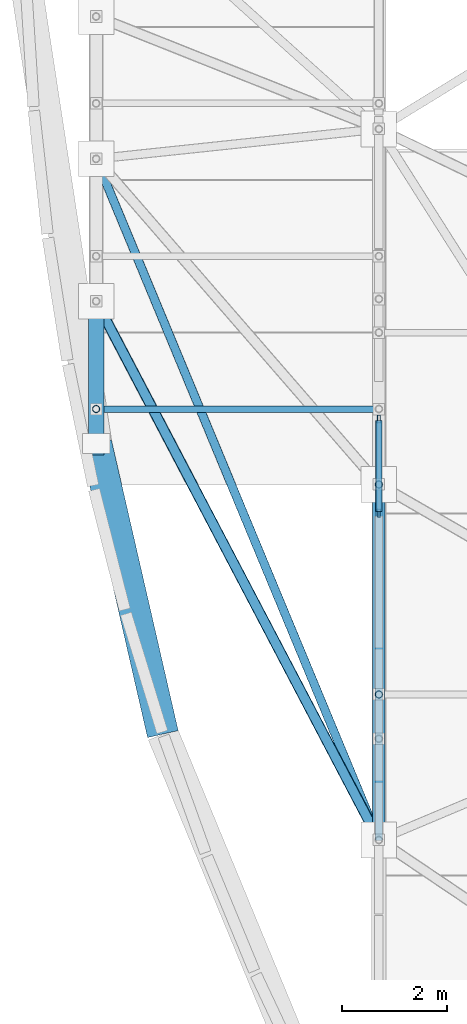
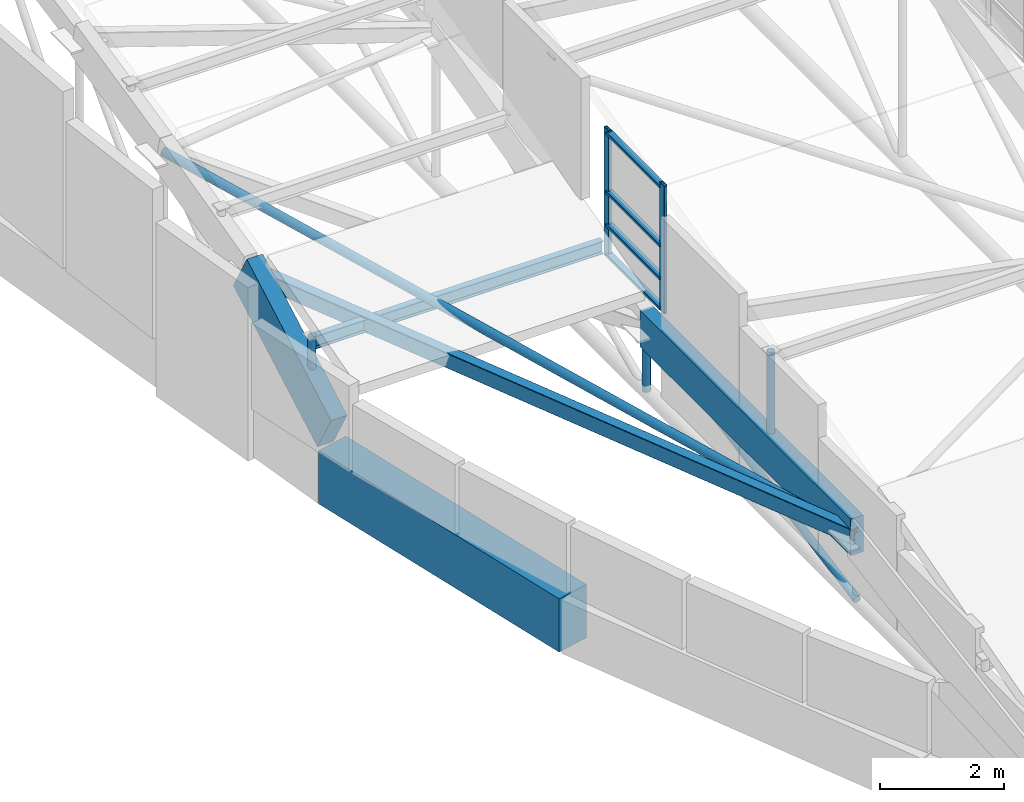
# One storey, part 11 of 188: 15 members, 1 beam, 1 element without a shape of its own.
"""IFC4 building model written with IfcOpenShell, lengths in metres."""

import ifcopenshell
import ifcopenshell.guid

model = None  # the IFC model being written
_history = None  # IfcOwnerHistory: only IFC2X3 demands one
_inside = {}  # id of a spatial element -> (the spatial element, [elements in it])
_under = {}  # id of a project, library or spatial element -> (it, [spatial elements below it])
_declared = {}  # id of a project -> (the project, [libraries it declares])
_typed = {}  # id of a type object -> (the type object, [elements of that type])
_made_of = {}  # id of a material, layer set ... -> (it, [elements and type objects made of it])


def new_model(schema):
    """Start an empty IFC model of exactly this schema.

    Asked for "IFC4X3", IfcOpenShell would pick the latest addendum, in which some entities
    have other attributes; the version numbers below select the first issue.
    IFC2X3 requires an IfcOwnerHistory on every rooted entity: one is made here for all.
    """
    global model, _history
    if schema == "IFC4X3":
        model = ifcopenshell.file(schema_version=(4, 3, 0, 0))
    else:
        model = ifcopenshell.file(schema=schema)
    _inside.clear()
    _under.clear()
    _declared.clear()
    _typed.clear()
    _made_of.clear()
    _history = None
    if model.schema == "IFC2X3":
        org = make("IfcOrganization", Name="unknown")
        user = make(
            "IfcPersonAndOrganization",
            ThePerson=make("IfcPerson", FamilyName="unknown"),
            TheOrganization=org,
        )
        app = make(
            "IfcApplication",
            ApplicationDeveloper=org,
            Version="unknown",
            ApplicationFullName="unknown",
            ApplicationIdentifier="unknown",
        )
        _history = make(
            "IfcOwnerHistory",
            OwningUser=user,
            OwningApplication=app,
            ChangeAction="ADDED",
            CreationDate=0,
        )
    return model


def make(cls, **values):
    """One entity of the class cls with the attributes given. An attribute that is None is left unset."""
    return model.create_entity(
        cls, **{name: value for name, value in values.items() if value is not None}
    )


def rooted(cls, **values):
    """An entity with a GlobalId (a new one), such as an element, a storey or a relation."""
    return make(cls, GlobalId=ifcopenshell.guid.new(), OwnerHistory=_history, **values)


def si_unit(unit_type, name, prefix=None):
    """IfcSIUnit, for example si_unit("LENGTHUNIT", "METRE", prefix="MILLI")."""
    return make("IfcSIUnit", UnitType=unit_type, Prefix=prefix, Name=name)


def assignment(units):
    """IfcUnitAssignment: the units of a project."""
    return None if units is None else make("IfcUnitAssignment", Units=units)


def point(xyz):
    """IfcCartesianPoint."""
    return None if xyz is None else make("IfcCartesianPoint", Coordinates=xyz)


def direction(xyz):
    """IfcDirection."""
    return None if xyz is None else make("IfcDirection", DirectionRatios=xyz)


def frame(location, z_axis=None, x_axis=None):
    """IfcAxis2Placement3D, a coordinate frame: its origin and axes. An axis left out is left unset."""
    return make(
        "IfcAxis2Placement3D",
        Location=point(location),
        Axis=direction(z_axis),
        RefDirection=direction(x_axis),
    )


def frame_2d(location, x_axis=None):
    """IfcAxis2Placement2D, a coordinate frame in the plane: its origin and x axis."""
    return make(
        "IfcAxis2Placement2D", Location=point(location), RefDirection=direction(x_axis)
    )


def origin():
    """The frame at (0, 0, 0) with its axes left unset."""
    return frame((0.0, 0.0, 0.0))


def origin_2d():
    """The frame at (0, 0) in the plane with its x axis left unset."""
    return frame_2d((0.0, 0.0))


def place(relative_to, where):
    """IfcLocalPlacement: puts the frame where relative to a parent placement (None: the world)."""
    return make(
        "IfcLocalPlacement", PlacementRelTo=relative_to, RelativePlacement=where
    )


def context(
    kind, dimensions, precision=None, world=None, true_north=None, identifier=None
):
    """IfcGeometricRepresentationContext, for example the 3D "Model" context."""
    return make(
        "IfcGeometricRepresentationContext",
        ContextIdentifier=identifier,
        ContextType=kind,
        CoordinateSpaceDimension=dimensions,
        Precision=precision,
        WorldCoordinateSystem=world,
        TrueNorth=true_north,
    )


def subcontext(parent, identifier, kind, view, scale=None):
    """IfcGeometricRepresentationSubContext, for example "Body" below "Model"."""
    return make(
        "IfcGeometricRepresentationSubContext",
        ContextIdentifier=identifier,
        ContextType=kind,
        ParentContext=parent,
        TargetScale=scale,
        TargetView=view,
    )


def project(units=None, contexts=None):
    """IfcProject with its units and contexts."""
    return rooted(
        "IfcProject",
        Name="project",
        RepresentationContexts=contexts,
        UnitsInContext=assignment(units),
    )


def spatial(cls, under=None, at=None, **own):
    """A site, building, storey or space (cls), placed at a placement, below another one or the project."""
    s = rooted(cls, ObjectPlacement=at, **own)
    if under is not None:
        _under.setdefault(under.id(), (under, []))[1].append(s)
    return s


def profile(cls, at=None, kind="AREA", **sizes):
    """A parametric profile (cls). Its sizes go by their IFC names, for example OverallWidth=200.0."""
    return make(cls, ProfileType=kind, Position=at, **sizes)


def rectangle(**sizes):
    """IfcRectangleProfileDef."""
    return profile("IfcRectangleProfileDef", **sizes)


def hollow_rectangle(**sizes):
    """IfcRectangleHollowProfileDef."""
    return profile("IfcRectangleHollowProfileDef", **sizes)


def hollow_circle(**sizes):
    """IfcCircleHollowProfileDef."""
    return profile("IfcCircleHollowProfileDef", **sizes)


def i_section(**sizes):
    """IfcIShapeProfileDef."""
    return profile("IfcIShapeProfileDef", **sizes)


def extrude(swept, where, along, depth):
    """IfcExtrudedAreaSolid: the profile swept, set in the frame where, extruded along a direction by depth."""
    return make(
        "IfcExtrudedAreaSolid",
        SweptArea=swept,
        Position=where,
        ExtrudedDirection=direction(along),
        Depth=depth,
    )


def shape(context_of_items, identifier, shape_type, items):
    """IfcShapeRepresentation: the items that make up one representation, for example the "Body"."""
    return make(
        "IfcShapeRepresentation",
        ContextOfItems=context_of_items,
        RepresentationIdentifier=identifier,
        RepresentationType=shape_type,
        Items=items,
    )


def material(Name=None, Category=None):
    """IfcMaterial."""
    return make("IfcMaterial", Name=Name, Category=Category)


def layer(
    of_material, thickness, ventilated=None, Name=None, Category=None, Priority=None
):
    """IfcMaterialLayer: one layer of a wall or slab, of a material (None: an air gap)."""
    return make(
        "IfcMaterialLayer",
        Material=of_material,
        LayerThickness=thickness,
        IsVentilated=ventilated,
        Name=Name,
        Category=Category,
        Priority=Priority,
    )


def layer_set(layers, Name=None):
    """IfcMaterialLayerSet."""
    return make("IfcMaterialLayerSet", MaterialLayers=layers, LayerSetName=Name)


def material_profile(
    of_material, cross_section, Name=None, Category=None, Priority=None
):
    """IfcMaterialProfile: a cross section and its material."""
    return make(
        "IfcMaterialProfile",
        Name=Name,
        Material=of_material,
        Profile=cross_section,
        Priority=Priority,
        Category=Category,
    )


def profile_set(profiles, Name=None, composite=None):
    """IfcMaterialProfileSet."""
    return make(
        "IfcMaterialProfileSet",
        Name=Name,
        MaterialProfiles=profiles,
        CompositeProfile=composite,
    )


def made_of(thing, what):
    """Note that an element or type object is made of a material, layer set ...; save() writes the relation."""
    if what is not None:
        _made_of.setdefault(what.id(), (what, []))[1].append(thing)
    return thing


def type_object(cls, material=None, **own):
    """A type object (cls), such as IfcWallType, which elements share."""
    return made_of(rooted(cls, **own), material)


def element(
    cls,
    number,
    at=None,
    inside=None,
    cuts=None,
    type_object=None,
    material=None,
    context=None,
    identifier="Body",
    shape_type=None,
    held_by="IfcProductDefinitionShape",
    body=None,
    shapes=None,
    **own,
):
    """One element of the class cls, such as IfcWall. Its Tag is "e" and its number.

    at: its placement. inside: the storey or other place that contains it. cuts: it is an
    opening in that element (IfcRelVoidsElement). A single representation is given by context,
    identifier, shape_type and body (its items); several are given by shapes. held_by: the class
    of the entity that holds the representations. save() writes the other relations.
    """
    e = rooted(cls, Tag="e%d" % number, ObjectPlacement=at, **own)
    if body is not None:
        shapes = [shape(context, identifier, shape_type, body)]
    if shapes is not None:
        e.Representation = make(held_by, Representations=shapes)
    if inside is not None:
        _inside.setdefault(inside.id(), (inside, []))[1].append(e)
    if cuts is not None:
        rooted(
            "IfcRelVoidsElement", RelatingBuildingElement=cuts, RelatedOpeningElement=e
        )
    if type_object is not None:
        _typed.setdefault(type_object.id(), (type_object, []))[1].append(e)
    return made_of(e, material)


def aggregate(whole, parts):
    """IfcRelAggregates: a whole, such as a stair, and the parts it consists of."""
    return rooted("IfcRelAggregates", RelatingObject=whole, RelatedObjects=parts)


def save(model, path):
    """Write the relations noted so far, then the file.

    IfcRelAggregates (storeys below a building ...), IfcRelContainedInSpatialStructure (elements
    in a storey), IfcRelDefinesByType, IfcRelAssociatesMaterial and IfcRelDeclares: one each for
    every whole, place, type object, material and project.
    """
    for whole, parts in _under.values():
        aggregate(whole, parts)
    for where, things in _inside.values():
        rooted(
            "IfcRelContainedInSpatialStructure",
            RelatedElements=things,
            RelatingStructure=where,
        )
    for kind, things in _typed.values():
        rooted("IfcRelDefinesByType", RelatedObjects=things, RelatingType=kind)
    for what, things in _made_of.values():
        rooted("IfcRelAssociatesMaterial", RelatedObjects=things, RelatingMaterial=what)
    for by, libraries in _declared.values():
        rooted("IfcRelDeclares", RelatingContext=by, RelatedDefinitions=libraries)
    model.write(path)


model = new_model("IFC4")

# Units and contexts
model_context = context("Model", 3, precision=1e-05, world=origin(), true_north=direction((0.0, 1.0)))
body_context = subcontext(model_context, "Body", "Model", "MODEL_VIEW")
ifc_project = project(units=[si_unit("LENGTHUNIT", "METRE"), si_unit("AREAUNIT", "SQUARE_METRE"), si_unit("VOLUMEUNIT", "CUBIC_METRE"), si_unit("PLANEANGLEUNIT", "RADIAN"), si_unit("MASSUNIT", "GRAM", prefix="KILO")], contexts=[model_context])

# Site, building, storey
site_placement = place(None, origin())
site = spatial("IfcSite", under=ifc_project, at=site_placement, CompositionType="ELEMENT")
building_placement = place(site_placement, origin())
building = spatial("IfcBuilding", under=site, at=building_placement, Name="Kisaragi Civic Commons", CompositionType="ELEMENT")
storey_placement = place(building_placement, frame((0.0, 0.0, 9.60009765625)))
storey = spatial("IfcBuildingStorey", under=building, at=storey_placement, Name="L02", CompositionType="ELEMENT", Elevation=9.60009765625)

# Member
ifc_material_1 = material(Name="Steel SN400 (SN400B)", Category="steel")
ifc_material_profile_1 = material_profile(ifc_material_1, hollow_circle(Radius=0.08251953125, WallThickness=0.006103515625, at=origin_2d()), Name="CHS-165.2x6.0", Category="steel")
ifc_profile_set_1 = profile_set([ifc_material_profile_1], Name="Steel SN400 (SN400B)")
member_type_1 = type_object("IfcMemberType", Name="BR-02", PredefinedType="BRACE", material=ifc_profile_set_1)
member_1_placement = place(storey_placement, frame((1.39990234375, 27.876953125, 2.126953125), z_axis=(0.381029164719, -0.917991056913, -0.110041787794), x_axis=(0.92360011591, 0.383357308384, 0.0)))
element("IfcMember", 1, at=member_1_placement, inside=storey, type_object=member_type_1, Name="V1 diagonal gridshell steel brace 1", PredefinedType="BRACE", context=body_context, shape_type="SweptSolid", body=[
    extrude(hollow_circle(Radius=0.08251953125, WallThickness=0.006103515625, at=origin_2d()), origin(), (0.0, 0.0, 1.0), 14.172607421875),
])

# Curtain wall, members
ifc_material_2 = material(Name="Thermally broken anodized aluminium and low-E double glazing", Category="aluminium")
ifc_layer = layer(ifc_material_2, 0.14990234375, Name="Thermally broken anodized aluminium and low-E double glazing", Category="aluminium")
ifc_layer_set = layer_set([ifc_layer], Name="Thermally broken anodized aluminium and low-E double glazing")
curtain_wall_type = type_object("IfcCurtainWallType", Name="CW-03", PredefinedType="NOTDEFINED", material=ifc_layer_set)
curtain_wall_placement = place(storey_placement, origin())
curtain_wall = element("IfcCurtainWall", 2, at=curtain_wall_placement, inside=storey, type_object=curtain_wall_type, Name="L02 curtain wall CW-03 CW-CL-V1-133", PredefinedType="NOTDEFINED")
ifc_material_profile_2 = material_profile(ifc_material_2, hollow_rectangle(XDim=0.06005859375, YDim=0.14990234375, WallThickness=0.00390625, InnerFilletRadius=0.00390625, OuterFilletRadius=0.008056640625, at=origin_2d()), Name="CWM-60x150x4", Category="aluminium")
ifc_profile_set_2 = profile_set([ifc_material_profile_2], Name="Thermally broken anodized aluminium and low-E double glazing")
member_type_2 = type_object("IfcMemberType", Name="CWM-01", PredefinedType="MULLION", material=ifc_profile_set_2)
member_2_placement = place(storey_placement, frame((6.800048828125, 21.110107421875, 1.189453125), z_axis=(0.0, 0.0, 1.0), x_axis=(-1.0, 0.0, 0.0)))
member_2 = element("IfcMember", 3, at=member_2_placement, type_object=member_type_2, Name="CW-03 mullion 1", PredefinedType="MULLION", context=body_context, shape_type="SweptSolid", body=[
    extrude(hollow_rectangle(XDim=0.06005859375, YDim=0.14990234375, WallThickness=0.00390625, InnerFilletRadius=0.00390625, OuterFilletRadius=0.008056640625, at=origin_2d()), origin(), (0.0, 0.0, 1.0), 2.522216796875),
])
member_3_placement = place(storey_placement, frame((6.800048828125, 22.908203125, 1.189453125), z_axis=(0.0, 0.0, 1.0), x_axis=(-1.0, 0.0, 0.0)))
member_3 = element("IfcMember", 4, at=member_3_placement, type_object=member_type_2, Name="CW-03 mullion 2", PredefinedType="MULLION", context=body_context, shape_type="SweptSolid", body=[
    extrude(hollow_rectangle(XDim=0.06005859375, YDim=0.14990234375, WallThickness=0.00390625, InnerFilletRadius=0.00390625, OuterFilletRadius=0.008056640625, at=origin_2d()), origin(), (0.0, 0.0, 1.0), 2.522216796875),
])
ifc_material_profile_3 = material_profile(ifc_material_2, hollow_rectangle(XDim=0.1201171875, YDim=0.06005859375, WallThickness=0.00390625, InnerFilletRadius=0.00390625, OuterFilletRadius=0.008056640625, at=origin_2d()), Name="CWT-60x120x4", Category="aluminium")
ifc_profile_set_3 = profile_set([ifc_material_profile_3], Name="Thermally broken anodized aluminium and low-E double glazing")
member_type_3 = type_object("IfcMemberType", Name="CWT-01", PredefinedType="USERDEFINED", material=ifc_profile_set_3)
member_4_placement = place(storey_placement, frame((6.800048828125, 21.14013671875, 1.24951171875), z_axis=(0.0, 1.0, 0.0), x_axis=(-1.0, 0.0, 0.0)))
member_4 = element("IfcMember", 5, at=member_4_placement, type_object=member_type_3, Name="CW-03 transom 1.1", ObjectType="TRANSOM", PredefinedType="USERDEFINED", context=body_context, shape_type="SweptSolid", body=[
    extrude(hollow_rectangle(XDim=0.1201171875, YDim=0.06005859375, WallThickness=0.00390625, InnerFilletRadius=0.00390625, OuterFilletRadius=0.008056640625, at=origin_2d()), origin(), (0.0, 0.0, 1.0), 1.738037109375),
])
member_5_placement = place(storey_placement, frame((6.800048828125, 21.14013671875, 1.839599609375), z_axis=(0.0, 1.0, 0.0), x_axis=(-1.0, 0.0, 0.0)))
member_5 = element("IfcMember", 6, at=member_5_placement, type_object=member_type_3, Name="CW-03 transom 1.2", ObjectType="TRANSOM", PredefinedType="USERDEFINED", context=body_context, shape_type="SweptSolid", body=[
    extrude(hollow_rectangle(XDim=0.1201171875, YDim=0.06005859375, WallThickness=0.00390625, InnerFilletRadius=0.00390625, OuterFilletRadius=0.008056640625, at=origin_2d()), origin(), (0.0, 0.0, 1.0), 1.738037109375),
])
member_6_placement = place(storey_placement, frame((6.800048828125, 21.14013671875, 2.489501953125), z_axis=(0.0, 1.0, 0.0), x_axis=(-1.0, 0.0, 0.0)))
member_6 = element("IfcMember", 7, at=member_6_placement, type_object=member_type_3, Name="CW-03 transom 1.3", ObjectType="TRANSOM", PredefinedType="USERDEFINED", context=body_context, shape_type="SweptSolid", body=[
    extrude(hollow_rectangle(XDim=0.1201171875, YDim=0.06005859375, WallThickness=0.00390625, InnerFilletRadius=0.00390625, OuterFilletRadius=0.008056640625, at=origin_2d()), origin(), (0.0, 0.0, 1.0), 1.738037109375),
])
member_7_placement = place(storey_placement, frame((6.800048828125, 21.14013671875, 3.651611328125), z_axis=(0.0, 1.0, 0.0), x_axis=(-1.0, 0.0, 0.0)))
member_7 = element("IfcMember", 8, at=member_7_placement, type_object=member_type_3, Name="CW-03 transom 1.4", ObjectType="TRANSOM", PredefinedType="USERDEFINED", context=body_context, shape_type="SweptSolid", body=[
    extrude(hollow_rectangle(XDim=0.1201171875, YDim=0.06005859375, WallThickness=0.00390625, InnerFilletRadius=0.00390625, OuterFilletRadius=0.008056640625, at=origin_2d()), origin(), (0.0, 0.0, 1.0), 1.738037109375),
])
aggregate(curtain_wall, [member_2, member_3, member_4, member_5, member_6, member_7])

# Beam
ifc_material_3 = material(Name="Concrete Fc36", Category="concrete")
ifc_material_profile_4 = material_profile(ifc_material_3, rectangle(XDim=0.60009765625, YDim=1.050048828125, at=origin_2d()), Name="RC-600x1050", Category="concrete")
ifc_profile_set_4 = profile_set([ifc_material_profile_4], Name="Concrete Fc36")
beam_type = type_object("IfcBeamType", Name="G-06", PredefinedType="BEAM", material=ifc_profile_set_4)
beam_placement = place(storey_placement, frame((1.39990234375, 22.4384765625, -0.84521484375), z_axis=(0.223816605876, -0.974631277425, 0.0), x_axis=(0.974631277425, 0.223816605876, 0.0)))
element("IfcBeam", 9, at=beam_placement, inside=storey, type_object=beam_type, Name="L02 curved spandrel/ring girder G-06 260", PredefinedType="BEAM", context=body_context, shape_type="SweptSolid", body=[
    extrude(rectangle(XDim=0.60009765625, YDim=1.050048828125, at=origin_2d()), origin(), (0.0, 0.0, 1.0), 5.694091796875),
])

# Members
ifc_material_4 = material(Name="Steel SN490 (SN490B)", Category="steel")
ifc_material_profile_5 = material_profile(ifc_material_4, hollow_rectangle(XDim=0.199951171875, YDim=0.300048828125, WallThickness=0.009033203125, InnerFilletRadius=0.009033203125, OuterFilletRadius=0.01806640625, at=origin_2d()), Name="STKR-300x200x9", Category="steel")
ifc_profile_set_5 = profile_set([ifc_material_profile_5], Name="Steel SN490 (SN490B)")
member_type_4 = type_object("IfcMemberType", Name="GC-02", PredefinedType="CHORD", material=ifc_profile_set_5)
member_8_placement = place(storey_placement, frame((1.39990234375, 25.15771484375, 1.45166015625), z_axis=(0.463316820431, -0.882939129925, -0.075868417361), x_axis=(0.88549125901, 0.464656034306, 0.0)))
element("IfcMember", 10, at=member_8_placement, inside=storey, type_object=member_type_4, Name="V1 wave gridshell chord GC-02 1", PredefinedType="CHORD", context=body_context, shape_type="SweptSolid", body=[
    extrude(hollow_rectangle(XDim=0.199951171875, YDim=0.300048828125, WallThickness=0.009033203125, InnerFilletRadius=0.009033203125, OuterFilletRadius=0.01806640625, at=origin_2d()), origin(), (0.0, 0.0, 1.0), 11.655517578125),
])
ifc_material_5 = material(Name="Glulam E120-F330", Category="wood")
ifc_material_profile_6 = material_profile(ifc_material_5, rectangle(XDim=0.239990234375, YDim=0.719970703125, at=origin_2d()), Name="GL-240x720", Category="wood")
ifc_profile_set_6 = profile_set([ifc_material_profile_6], Name="Glulam E120-F330")
member_type_5 = type_object("IfcMemberType", Name="GR-02", PredefinedType="RAFTER", material=ifc_profile_set_6)
member_9_placement = place(storey_placement, frame((6.800048828125, 14.86669921875, 0.5673828125), z_axis=(0.0, 1.0, 0.0), x_axis=(-1.0, 0.0, 0.0)))
element("IfcMember", 11, at=member_9_placement, inside=storey, type_object=member_type_5, Name="V1 glulam arch rib GR-02 10", PredefinedType="RAFTER", context=body_context, shape_type="SweptSolid", body=[
    extrude(rectangle(XDim=0.239990234375, YDim=0.719970703125, at=origin_2d()), origin(), (0.0, 0.0, 1.0), 6.79052734375),
])
ifc_material_profile_7 = material_profile(ifc_material_5, rectangle(XDim=0.300048828125, YDim=0.89990234375, at=origin_2d()), Name="GL-300x900", Category="wood")
ifc_profile_set_7 = profile_set([ifc_material_profile_7], Name="Glulam E120-F330")
member_type_6 = type_object("IfcMemberType", Name="GR-07", PredefinedType="RAFTER", material=ifc_profile_set_7)
member_10_placement = place(storey_placement, frame((1.39990234375, 22.4384765625, -0.080078125), z_axis=(0.0, 0.871278723129, 0.490788535546), x_axis=(-1.0, 0.0, 0.0)))
element("IfcMember", 12, at=member_10_placement, inside=storey, type_object=member_type_6, Name="V1 glulam arch rib GR-07 1", PredefinedType="RAFTER", context=body_context, shape_type="SweptSolid", body=[
    extrude(rectangle(XDim=0.300048828125, YDim=0.89990234375, at=origin_2d()), origin(), (0.0, 0.0, 1.0), 3.12109375),
])
ifc_material_profile_8 = material_profile(ifc_material_1, i_section(OverallWidth=0.125, OverallDepth=0.25, WebThickness=0.006103515625, FlangeThickness=0.009033203125, FilletRadius=0.008056640625, at=origin_2d()), Name="H-250x125x6x9", Category="steel")
ifc_profile_set_8 = profile_set([ifc_material_profile_8], Name="Steel SN400 (SN400B)")
member_type_7 = type_object("IfcMemberType", Name="PR-01", PredefinedType="PURLIN", material=ifc_profile_set_8)
member_11_placement = place(storey_placement, frame((1.39990234375, 23.09814453125, 1.284912109375), z_axis=(1.0, 0.0, 0.0), x_axis=(0.0, 1.0, 0.0)))
element("IfcMember", 13, at=member_11_placement, inside=storey, type_object=member_type_7, Name="V1 wave vault steel purlin 1", PredefinedType="PURLIN", context=body_context, shape_type="SweptSolid", body=[
    extrude(i_section(OverallWidth=0.125, OverallDepth=0.25, WebThickness=0.006103515625, FlangeThickness=0.009033203125, FilletRadius=0.008056640625, at=origin_2d()), origin(), (0.0, 0.0, 1.0), 5.400146484375),
])
ifc_material_profile_9 = material_profile(ifc_material_4, hollow_circle(Radius=0.06982421875, WallThickness=0.006103515625, at=origin_2d()), Name="CHS-139.8x6.0", Category="steel")
ifc_profile_set_9 = profile_set([ifc_material_profile_9], Name="Steel SN490 (SN490B)")
member_type_8 = type_object("IfcMemberType", Name="ST-H1", PredefinedType="STRUT", material=ifc_profile_set_9)
member_12_placement = place(storey_placement, frame((6.800048828125, 21.6572265625, -0.691162109375), z_axis=(0.0, 0.0, 1.0), x_axis=(1.0, 0.0, 0.0)))
element("IfcMember", 14, at=member_12_placement, inside=storey, type_object=member_type_8, Name="V1 arch tie hanger strut 17", PredefinedType="STRUT", context=body_context, shape_type="SweptSolid", body=[
    extrude(hollow_circle(Radius=0.06982421875, WallThickness=0.006103515625, at=origin_2d()), origin(), (0.0, 0.0, 1.0), 1.258544921875),
])
member_13_placement = place(storey_placement, frame((6.800048828125, 14.86669921875, -0.691162109375), z_axis=(0.0, 0.98325503549, 0.182234835261), x_axis=(-1.0, 0.0, 0.0)))
element("IfcMember", 15, at=member_13_placement, inside=storey, type_object=member_type_8, Name="V1 tied arch truss diagonal web strut 23", PredefinedType="STRUT", context=body_context, shape_type="SweptSolid", body=[
    extrude(hollow_circle(Radius=0.06982421875, WallThickness=0.006103515625, at=origin_2d()), origin(), (0.0, 0.0, 1.0), 6.90625),
])
member_14_placement = place(storey_placement, frame((1.39990234375, 23.09814453125, 0.29150390625), z_axis=(0.0, 0.0, 1.0), x_axis=(1.0, 0.0, 0.0)))
element("IfcMember", 16, at=member_14_placement, inside=storey, type_object=member_type_8, Name="V1 clerestory monitor horizontal tie strut 1.0.1", PredefinedType="STRUT", context=body_context, shape_type="SweptSolid", body=[
    extrude(hollow_circle(Radius=0.06982421875, WallThickness=0.006103515625, at=origin_2d()), origin(), (0.0, 0.0, 1.0), 1.118408203125),
])
member_15_placement = place(storey_placement, frame((6.800048828125, 17.6455078125, 0.5673828125), z_axis=(0.0, 0.0, 1.0), x_axis=(1.0, 0.0, 0.0)))
element("IfcMember", 17, at=member_15_placement, inside=storey, type_object=member_type_8, Name="V1 clerestory monitor horizontal tie strut 2.1.2", PredefinedType="STRUT", context=body_context, shape_type="SweptSolid", body=[
    extrude(hollow_circle(Radius=0.06982421875, WallThickness=0.006103515625, at=origin_2d()), origin(), (0.0, 0.0, 1.0), 1.96142578125),
])

save(model, "model.ifc")
